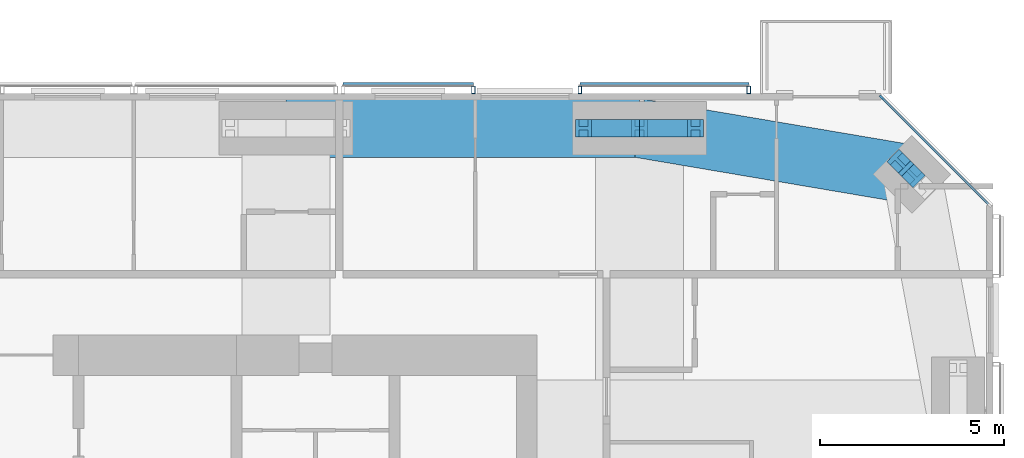
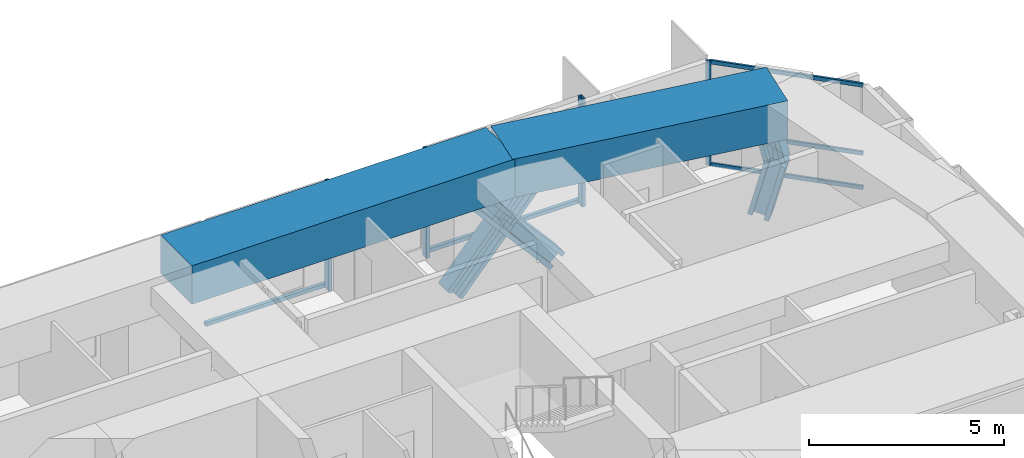
# One storey, part 11 of 19: 15 members, 2 beams, 3 elements without a shape of their own.
"""IFC4 building model written with IfcOpenShell, lengths in metres."""

from ifc_helpers import new_model, si_unit, direction, frame, origin, origin_2d, place, context, subcontext, project, spatial, rectangle, hollow_rectangle, i_section, extrude, material, material_profile, profile_set, type_object, element, aggregate, save


model = new_model("IFC4")

# Units and contexts
model_context = context("Model", 3, precision=1e-05, world=origin(), true_north=direction((0.0, 1.0)))
body_context = subcontext(model_context, "Body", "Model", "MODEL_VIEW")
ifc_project = project(units=[si_unit("LENGTHUNIT", "METRE"), si_unit("AREAUNIT", "SQUARE_METRE"), si_unit("VOLUMEUNIT", "CUBIC_METRE"), si_unit("PLANEANGLEUNIT", "RADIAN"), si_unit("MASSUNIT", "GRAM", prefix="KILO")], contexts=[model_context])

# Site, building, storey
site_placement = place(None, origin())
site = spatial("IfcSite", under=ifc_project, at=site_placement, CompositionType="ELEMENT")
building_placement = place(site_placement, origin())
building = spatial("IfcBuilding", under=site, at=building_placement, Name="Jalousie Tower", CompositionType="ELEMENT")
storey_placement = place(building_placement, frame((0.0, 0.0, 224.949951171875)))
storey = spatial("IfcBuildingStorey", under=building, at=storey_placement, Name="L61", CompositionType="ELEMENT", Elevation=224.949951171875)

# Curtain wall, members
ifc_material_1 = material(Name="Aluminium curtain wall", Category="aluminium")
curtain_wall_type_1 = type_object("IfcCurtainWallType", Name="CORNER WINDOW WALL", PredefinedType="USERDEFINED", material=ifc_material_1)
curtain_wall_1_placement = place(storey_placement, origin())
curtain_wall_1 = element("IfcCurtainWall", 1, at=curtain_wall_1_placement, inside=storey, type_object=curtain_wall_type_1, Name="Corner Window Wall L61 4", ObjectType="CORNER WINDOW WALL", PredefinedType="USERDEFINED")
ifc_material_2 = material(Name="Aluminium mullion", Category="aluminium")
ifc_material_profile_1 = material_profile(ifc_material_2, rectangle(XDim=0.06005859375, YDim=0.14990234375, at=origin_2d()), Name="MULLION 60x150")
ifc_profile_set_1 = profile_set([ifc_material_profile_1], Name="Aluminium mullion")
member_type_1 = type_object("IfcMemberType", Name="CORNER WINDOW WALL MULLION", PredefinedType="MULLION", material=ifc_profile_set_1)
member_1_placement = place(storey_placement, frame((53.469970703125, 33.891357421875, 0.0), z_axis=(0.0, 0.0, 1.0), x_axis=(-0.707106781187, -0.707106781187, 0.0)))
member_1 = element("IfcMember", 2, at=member_1_placement, type_object=member_type_1, Name="CW-C mullion 2", PredefinedType="MULLION", context=body_context, shape_type="SweptSolid", body=[
    extrude(rectangle(XDim=0.06005859375, YDim=0.14990234375, at=origin_2d()), origin(), (0.0, 0.0, 1.0), 3.260009765625),
])
ifc_material_3 = material(Name="Aluminium transom", Category="aluminium")
ifc_material_profile_2 = material_profile(ifc_material_3, rectangle(XDim=0.06005859375, YDim=0.1201171875, at=origin_2d()), Name="TRANSOM 60x120")
ifc_profile_set_2 = profile_set([ifc_material_profile_2], Name="Aluminium transom")
member_type_2 = type_object("IfcMemberType", Name="CORNER WINDOW WALL TRANSOM", PredefinedType="USERDEFINED", material=ifc_profile_set_2)
member_2_placement = place(storey_placement, frame((56.3701171875, 30.9912109375, 0.030029296875), z_axis=(-0.707106781187, 0.707106781187, 0.0), x_axis=(-0.707106781187, -0.707106781187, 0.0)))
member_2 = element("IfcMember", 3, at=member_2_placement, type_object=member_type_2, Name="CW-C transom 1.1", ObjectType="TRANSOM", PredefinedType="USERDEFINED", context=body_context, shape_type="SweptSolid", body=[
    extrude(rectangle(XDim=0.06005859375, YDim=0.1201171875, at=origin_2d()), origin(), (0.0, 0.0, 1.0), 4.0712890625),
])
member_3_placement = place(storey_placement, frame((56.3701171875, 30.9912109375, 1.10009765625), z_axis=(-0.707106781187, 0.707106781187, 0.0), x_axis=(-0.707106781187, -0.707106781187, 0.0)))
member_3 = element("IfcMember", 4, at=member_3_placement, type_object=member_type_2, Name="CW-C transom 1.2", ObjectType="TRANSOM", PredefinedType="USERDEFINED", context=body_context, shape_type="SweptSolid", body=[
    extrude(rectangle(XDim=0.06005859375, YDim=0.1201171875, at=origin_2d()), origin(), (0.0, 0.0, 1.0), 4.0712890625),
])
member_4_placement = place(storey_placement, frame((56.3701171875, 30.9912109375, 3.22998046875), z_axis=(-0.707106781187, 0.707106781187, 0.0), x_axis=(-0.707106781187, -0.707106781187, 0.0)))
member_4 = element("IfcMember", 5, at=member_4_placement, type_object=member_type_2, Name="CW-C transom 1.3", ObjectType="TRANSOM", PredefinedType="USERDEFINED", context=body_context, shape_type="SweptSolid", body=[
    extrude(rectangle(XDim=0.06005859375, YDim=0.1201171875, at=origin_2d()), origin(), (0.0, 0.0, 1.0), 4.0712890625),
])
aggregate(curtain_wall_1, [member_1, member_2, member_3, member_4])

# Members
ifc_material_4 = material(Name="Steel ASTM A992 Grade 50", Category="steel")
ifc_material_profile_3 = material_profile(ifc_material_4, i_section(OverallWidth=0.472412109375, OverallDepth=0.5791015625, WebThickness=0.094970703125, FlangeThickness=0.1298828125, at=origin_2d()), Name="W14X808")
ifc_profile_set_3 = profile_set([ifc_material_profile_3], Name="Steel ASTM A992 Grade 50")
member_type_3 = type_object("IfcMemberType", Name="PERIMETER BRACE W14X808", PredefinedType="BRACE", material=ifc_profile_set_3)
for number, where, z_axis, x_axis, name in (
    (6, (54.29296875, 31.79296875, 1.150146484375), (-0.17618653952, 0.176051427143, 0.968485517854), (-0.706835495285, -0.707377963048, 0.0), "Perimeter brace 08 L61 part 2"),
    (7, (53.974609375, 32.111083984375, -0.599853515625), (0.17618653952, -0.176051427143, 0.968485517854), (0.706835495285, 0.707377963048, 0.0), "Perimeter brace 08 L61 part 3"),
):
    element("IfcMember", number, at=place(storey_placement, frame(where, z_axis=z_axis, x_axis=x_axis)), inside=storey, type_object=member_type_3, Name=name, PredefinedType="BRACE", context=body_context, shape_type="SweptSolid", body=[
        extrude(i_section(OverallWidth=0.472412109375, OverallDepth=0.5791015625, WebThickness=0.094970703125, FlangeThickness=0.1298828125, at=origin_2d()), origin(), (0.0, 0.0, 1.0), 1.806884765625),
    ])
for number, where, z_axis, x_axis, name in (
    (8, (45.35009765625, 33.050048828125, -0.599853515625), (0.65695436777, 0.0, 0.753930340726), (0.0, 1.0, 0.0), "Perimeter brace 09 L61 part 1"),
    (9, (46.875, 33.050048828125, 1.150146484375), (0.65695436777, 0.0, 0.753930340726), (0.0, 1.0, 0.0), "Perimeter brace 09 L61 part 2"),
    (10, (48.39990234375, 33.050048828125, -0.599853515625), (-0.65695436777, 0.0, 0.753930340726), (0.0, -1.0, 0.0), "Perimeter brace 09 L61 part 3"),
    (11, (46.875, 33.050048828125, 1.150146484375), (-0.65695436777, 0.0, 0.753930340726), (0.0, -1.0, 0.0), "Perimeter brace 09 L61 part 4"),
):
    element("IfcMember", number, at=place(storey_placement, frame(where, z_axis=z_axis, x_axis=x_axis)), inside=storey, type_object=member_type_3, Name=name, PredefinedType="BRACE", context=body_context, shape_type="SweptSolid", body=[
        extrude(i_section(OverallWidth=0.472412109375, OverallDepth=0.5791015625, WebThickness=0.094970703125, FlangeThickness=0.1298828125, at=origin_2d()), origin(), (0.0, 0.0, 1.0), 2.3212890625),
    ])

# Beams
ifc_material_5 = material(Name="Concrete f'c 40 MPa", Category="concrete")
ifc_material_profile_4 = material_profile(ifc_material_5, rectangle(XDim=1.60009765625, YDim=1.199951171875, at=origin_2d()), Name="RC 1600x1200")
ifc_profile_set_4 = profile_set([ifc_material_profile_4], Name="Concrete f'c 40 MPa")
beam_type = type_object("IfcBeamType", Name="RC BEAM 1600x1200", PredefinedType="BEAM", material=ifc_profile_set_4)
beam_1_placement = place(storey_placement, frame((54.29296875, 31.79296875, 2.900146484375), z_axis=(-0.985942997446, 0.167082033105, 0.0), x_axis=(-0.167082033105, -0.985942997446, 0.0)))
element("IfcBeam", 12, at=beam_1_placement, inside=storey, type_object=beam_type, Name="Edge band beam 08-09 under L62", PredefinedType="BEAM", context=body_context, shape_type="SweptSolid", body=[
    extrude(rectangle(XDim=1.60009765625, YDim=1.199951171875, at=origin_2d()), origin(), (0.0, 0.0, 1.0), 7.523681640625),
])
beam_2_placement = place(storey_placement, frame((46.875, 33.050048828125, 2.900146484375), z_axis=(-1.0, 0.0, 0.0), x_axis=(0.0, -1.0, 0.0)))
element("IfcBeam", 13, at=beam_2_placement, inside=storey, type_object=beam_type, Name="Edge band beam 09-10 under L62", PredefinedType="BEAM", context=body_context, shape_type="SweptSolid", body=[
    extrude(rectangle(XDim=1.60009765625, YDim=1.199951171875, at=origin_2d()), origin(), (0.0, 0.0, 1.0), 9.625),
])

# Curtain wall, members
ifc_material_6 = material(Name="Perforated aluminium sheet", Category="aluminium")
curtain_wall_type_2 = type_object("IfcCurtainWallType", Name="SOLAR SCREEN SS-2", PredefinedType="USERDEFINED", material=ifc_material_6)
curtain_wall_2_placement = place(storey_placement, origin())
curtain_wall_2 = element("IfcCurtainWall", 14, at=curtain_wall_2_placement, inside=storey, type_object=curtain_wall_type_2, Name="Solar screen L61", ObjectType="SOLAR SCREEN SS-2", PredefinedType="USERDEFINED")
ifc_material_7 = material(Name="Steel ASTM A500 Grade C", Category="steel")
ifc_material_profile_5 = material_profile(ifc_material_7, hollow_rectangle(XDim=0.1015625, YDim=0.203125, WallThickness=0.0078125, at=origin_2d()), Name="HSS8X4X5/16")
ifc_profile_set_5 = profile_set([ifc_material_profile_5], Name="Steel ASTM A500 Grade C")
member_type_4 = type_object("IfcMemberType", Name="SOLAR SCREEN SS-2 MULLION", PredefinedType="MULLION", material=ifc_profile_set_5)
member_5_placement = place(storey_placement, frame((49.8486328125, 34.0966796875, -0.119873046875), z_axis=(0.0, 0.0, 1.0), x_axis=(-1.0, 0.0, 0.0)))
member_5 = element("IfcMember", 15, at=member_5_placement, type_object=member_type_4, Name="SS2 post 1", PredefinedType="MULLION", context=body_context, shape_type="SweptSolid", body=[
    extrude(hollow_rectangle(XDim=0.1015625, YDim=0.203125, WallThickness=0.0078125, at=origin_2d()), origin(), (0.0, 0.0, 1.0), 3.3798828125),
])
member_6_placement = place(storey_placement, frame((45.25, 34.0966796875, -0.119873046875), z_axis=(0.0, 0.0, 1.0), x_axis=(-1.0, 0.0, 0.0)))
member_6 = element("IfcMember", 16, at=member_6_placement, type_object=member_type_4, Name="SS2 post 2", PredefinedType="MULLION", context=body_context, shape_type="SweptSolid", body=[
    extrude(hollow_rectangle(XDim=0.1015625, YDim=0.203125, WallThickness=0.0078125, at=origin_2d()), origin(), (0.0, 0.0, 1.0), 3.3798828125),
])

# Curtain wall, member
curtain_wall_3_placement = place(storey_placement, origin())
curtain_wall_3 = element("IfcCurtainWall", 17, at=curtain_wall_3_placement, inside=storey, type_object=curtain_wall_type_2, Name="Solar screen L61", ObjectType="SOLAR SCREEN SS-2", PredefinedType="USERDEFINED")
member_7_placement = place(storey_placement, frame((42.35009765625, 34.0966796875, -0.119873046875), z_axis=(0.0, 0.0, 1.0), x_axis=(-1.0, 0.0, 0.0)))
member_7 = element("IfcMember", 18, at=member_7_placement, type_object=member_type_4, Name="SS2 post 1", PredefinedType="MULLION", context=body_context, shape_type="SweptSolid", body=[
    extrude(hollow_rectangle(XDim=0.1015625, YDim=0.203125, WallThickness=0.0078125, at=origin_2d()), origin(), (0.0, 0.0, 1.0), 3.3798828125),
])

# Member
ifc_material_8 = material(Name="Extruded aluminium screen rail", Category="aluminium")
ifc_material_profile_6 = material_profile(ifc_material_8, rectangle(XDim=0.1015625, YDim=0.1201171875, at=origin_2d()), Name="RAIL 102x120")
ifc_profile_set_6 = profile_set([ifc_material_profile_6], Name="Extruded aluminium screen rail")
member_type_5 = type_object("IfcMemberType", Name="SOLAR SCREEN SS-2 TRANSOM", PredefinedType="USERDEFINED", material=ifc_profile_set_6)
member_8_placement = place(storey_placement, frame((49.8486328125, 34.2490234375, -0.06005859375), z_axis=(-1.0, 0.0, 0.0), x_axis=(0.0, -1.0, 0.0)))
member_8 = element("IfcMember", 19, at=member_8_placement, type_object=member_type_5, Name="SS2 rail", ObjectType="TRANSOM", PredefinedType="USERDEFINED", context=body_context, shape_type="SweptSolid", body=[
    extrude(rectangle(XDim=0.1015625, YDim=0.1201171875, at=origin_2d()), origin(), (0.0, 0.0, 1.0), 4.5986328125),
])

aggregate(curtain_wall_2, [member_5, member_6, member_8])

member_9_placement = place(storey_placement, frame((42.35009765625, 34.2490234375, -0.06005859375), z_axis=(-1.0, 0.0, 0.0), x_axis=(0.0, -1.0, 0.0)))
member_9 = element("IfcMember", 20, at=member_9_placement, type_object=member_type_5, Name="SS2 rail", ObjectType="TRANSOM", PredefinedType="USERDEFINED", context=body_context, shape_type="SweptSolid", body=[
    extrude(rectangle(XDim=0.1015625, YDim=0.1201171875, at=origin_2d()), origin(), (0.0, 0.0, 1.0), 3.550048828125),
])

aggregate(curtain_wall_3, [member_7, member_9])

save(model, "model.ifc")
